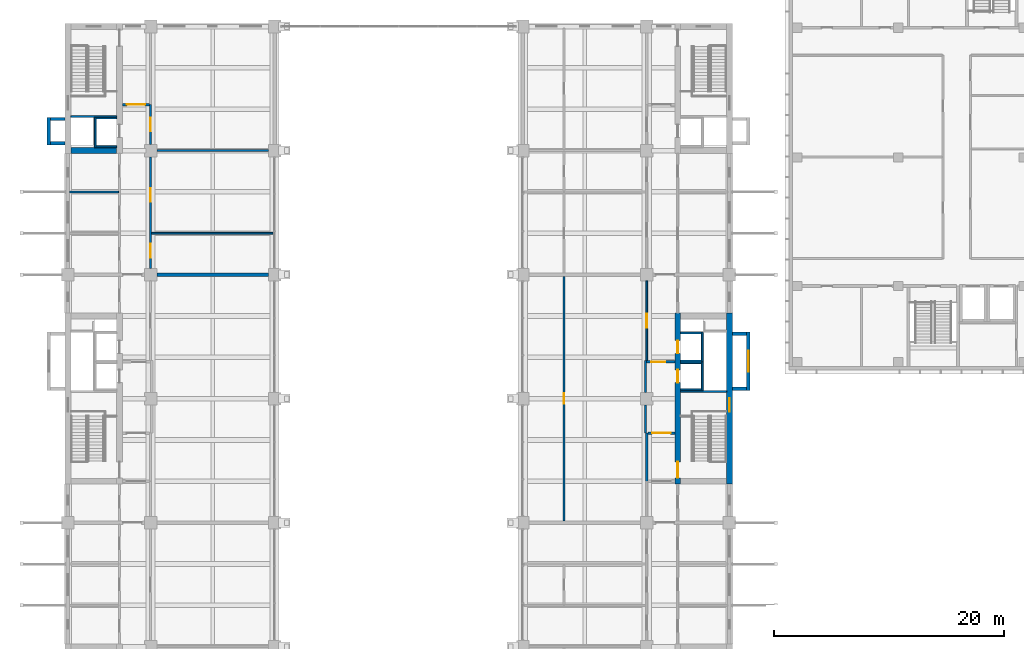
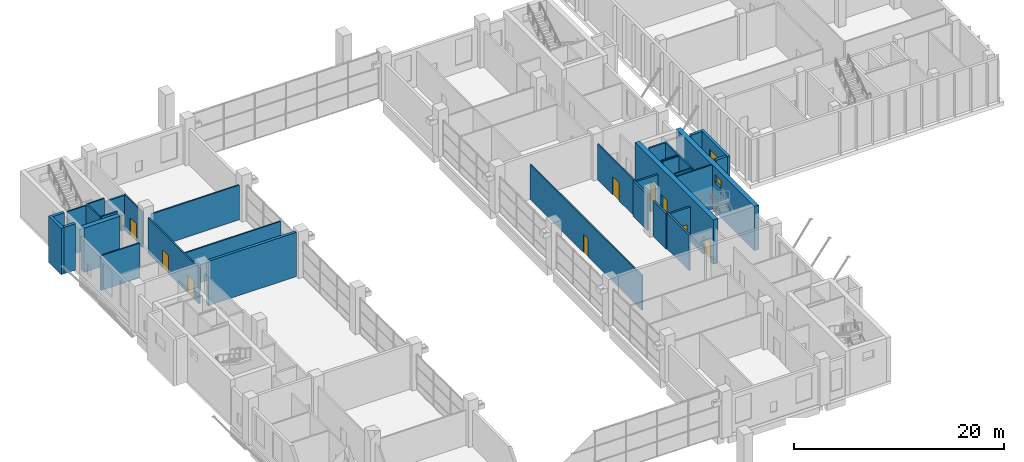
# One storey, part 21 of 38: 34 walls, 11 doors, 2 windows, 13 openings.
"""IFC4 building model written with IfcOpenShell, lengths in metres."""

from ifc_helpers import new_model, si_unit, direction, frame, frame_2d, origin, place, context, subcontext, project, spatial, rectangle, extrude, material, layer, layer_set, type_object, element, fill, save


model = new_model("IFC4")

# Units and contexts
model_context = context("Model", 3, precision=1e-05, world=origin(), true_north=direction((0.0, 1.0)))
body_context = subcontext(model_context, "Body", "Model", "MODEL_VIEW")
ifc_project = project(units=[si_unit("LENGTHUNIT", "METRE"), si_unit("AREAUNIT", "SQUARE_METRE"), si_unit("VOLUMEUNIT", "CUBIC_METRE"), si_unit("PLANEANGLEUNIT", "RADIAN"), si_unit("MASSUNIT", "GRAM", prefix="KILO")], contexts=[model_context])

# Site, building, storey
site_placement = place(None, origin())
site = spatial("IfcSite", under=ifc_project, at=site_placement, CompositionType="ELEMENT")
building_placement = place(site_placement, origin())
building = spatial("IfcBuilding", under=site, at=building_placement, Name="Basin Gate Institute", CompositionType="ELEMENT")
storey_placement = place(building_placement, frame((0.0, 0.0, 16.800048828125)))
storey = spatial("IfcBuildingStorey", under=building, at=storey_placement, Name="L03", CompositionType="ELEMENT", Elevation=16.800048828125)

# Wall, opening, door
ifc_material_1 = material(Name="Fire-rated masonry", Category="masonry")
ifc_layer_1 = layer(ifc_material_1, 0.199951171875)
ifc_layer_set_1 = layer_set([ifc_layer_1], Name="Enclosure wall PW2 200 EI 60")
wall_type_1 = type_object("IfcWallType", Name="Enclosure wall PW2 200 EI 60", PredefinedType="PARTITIONING", material=ifc_layer_set_1)
wall_1_placement = place(storey_placement, frame((65.949951171875, 93.10009765625, 0.0), z_axis=(0.0, 0.0, 1.0), x_axis=(1.0, 0.0, 0.0)))
wall_1 = element("IfcWall", 1, at=wall_1_placement, inside=storey, type_object=wall_type_1, material=ifc_layer_set_1, Name="Smoke lobby enclosure wall PW2 L03", PredefinedType="PARTITIONING", context=body_context, shape_type="SweptSolid", body=[
    extrude(rectangle(XDim=2.35009765625, YDim=0.199951171875, at=frame_2d((1.175048828125, 0.0))), origin(), (0.0, 0.0, 1.0), 4.050048828125),
])
opening_1_placement = place(wall_1_placement, frame((0.375, 0.0, 0.0)))
opening_1 = element("IfcOpeningElement", 2, at=opening_1_placement, cuts=wall_1, Name="Opening DR194", PredefinedType="OPENING", context=body_context, shape_type="SweptSolid", body=[
    extrude(rectangle(XDim=1.60009765625, YDim=2.10009765625, at=frame_2d((0.800048828125, 1.050048828125))), frame((0.0, 0.10986328125, 0.0), z_axis=(0.0, -1.0, 0.0), x_axis=(1.0, 0.0, 0.0)), (0.0, 0.0, 1.0), 0.219970703125),
])
ifc_material_2 = material(Name="Steel fire door", Category="steel")
door_type_1 = type_object("IfcDoorType", Name="FD60 Smoke lobby door pair D8", OperationType="DOUBLE_DOOR_SINGLE_SWING", PredefinedType="DOOR", material=ifc_material_2)
door_1_placement = place(opening_1_placement, origin())
door_1 = element("IfcDoor", 3, at=door_1_placement, inside=storey, type_object=door_type_1, material=ifc_material_2, Name="Smoke lobby door SS3 L03", OperationType="DOUBLE_DOOR_SINGLE_SWING", OverallHeight=2.10009765625, OverallWidth=1.60009765625, PredefinedType="DOOR", context=body_context, shape_type="SweptSolid", body=[
    extrude(rectangle(XDim=1.60009765625, YDim=2.10009765625, at=frame_2d((0.800048828125, 1.050048828125))), frame((0.0, 0.02490234375, 0.0), z_axis=(0.0, -1.0, 0.0), x_axis=(1.0, 0.0, 0.0)), (0.0, 0.0, 1.0), 0.050048828125),
])
fill(opening_1, door_1)

wall_2_placement = place(storey_placement, frame((114.050048828125, 64.5, 0.0), z_axis=(0.0, 0.0, 1.0), x_axis=(-1.0, 0.0, 0.0)))
wall_2 = element("IfcWall", 4, at=wall_2_placement, inside=storey, type_object=wall_type_1, material=ifc_layer_set_1, Name="Smoke lobby enclosure wall PW2 L03", PredefinedType="PARTITIONING", context=body_context, shape_type="SweptSolid", body=[
    extrude(rectangle(XDim=2.35009765625, YDim=0.199951171875, at=frame_2d((1.175048828125, 0.0))), origin(), (0.0, 0.0, 1.0), 4.050048828125),
])
opening_2_placement = place(wall_2_placement, frame((0.375, 0.0, 0.0)))
opening_2 = element("IfcOpeningElement", 5, at=opening_2_placement, cuts=wall_2, Name="Opening DR172", PredefinedType="OPENING", context=body_context, shape_type="SweptSolid", body=[
    extrude(rectangle(XDim=1.60009765625, YDim=2.10009765625, at=frame_2d((0.800048828125, 1.050048828125))), frame((0.0, 0.10986328125, 0.0), z_axis=(0.0, -1.0, 0.0), x_axis=(1.0, 0.0, 0.0)), (0.0, 0.0, 1.0), 0.219970703125),
])
door_2_placement = place(opening_2_placement, origin())
door_2 = element("IfcDoor", 6, at=door_2_placement, inside=storey, type_object=door_type_1, material=ifc_material_2, Name="Smoke lobby door SS5 L03", OperationType="DOUBLE_DOOR_SINGLE_SWING", OverallHeight=2.10009765625, OverallWidth=1.60009765625, PredefinedType="DOOR", context=body_context, shape_type="SweptSolid", body=[
    extrude(rectangle(XDim=1.60009765625, YDim=2.10009765625, at=frame_2d((0.800048828125, 1.050048828125))), frame((0.0, 0.02490234375, 0.0), z_axis=(0.0, -1.0, 0.0), x_axis=(1.0, 0.0, 0.0)), (0.0, 0.0, 1.0), 0.050048828125),
])
fill(opening_2, door_2)

# Wall
wall_3_placement = place(storey_placement, frame((111.60009765625, 60.300048828125, 0.0), z_axis=(0.0, 0.0, 1.0), x_axis=(0.0, 1.0, 0.0)))
element("IfcWall", 7, at=wall_3_placement, inside=storey, type_object=wall_type_1, material=ifc_layer_set_1, Name="Smoke lobby enclosure wall PW2 L03", PredefinedType="PARTITIONING", context=body_context, shape_type="SweptSolid", body=[
    extrude(rectangle(XDim=4.199951171875, YDim=0.199951171875, at=frame_2d((2.10009765625, 0.0))), origin(), (0.0, 0.0, 1.0), 4.14990234375),
])

# Wall, opening, door
wall_4_placement = place(storey_placement, frame((114.050048828125, 70.699951171875, 0.0), z_axis=(0.0, 0.0, 1.0), x_axis=(-1.0, 0.0, 0.0)))
wall_4 = element("IfcWall", 8, at=wall_4_placement, inside=storey, type_object=wall_type_1, material=ifc_layer_set_1, Name="Emergency lift lobby wall PW2 L03", PredefinedType="PARTITIONING", context=body_context, shape_type="SweptSolid", body=[
    extrude(rectangle(XDim=2.449951171875, YDim=0.199951171875, at=frame_2d((1.22509765625, 0.0))), origin(), (0.0, 0.0, 1.0), 4.050048828125),
])
opening_3_placement = place(wall_4_placement, frame((0.85009765625, 0.0, 0.0)))
opening_3 = element("IfcOpeningElement", 9, at=opening_3_placement, cuts=wall_4, Name="Opening DR169", PredefinedType="OPENING", context=body_context, shape_type="SweptSolid", body=[
    extrude(rectangle(XDim=1.199951171875, YDim=2.10009765625, at=frame_2d((0.60009765625, 1.050048828125))), frame((0.0, 0.10986328125, 0.0), z_axis=(0.0, -1.0, 0.0), x_axis=(1.0, 0.0, 0.0)), (0.0, 0.0, 1.0), 0.219970703125),
])
ifc_material_3 = material(Name="Steel fire door", Category="steel")
door_type_2 = type_object("IfcDoorType", Name="FD60 Emergency lift lobby door D9", OperationType="NOTDEFINED", PredefinedType="DOOR", material=ifc_material_3)
door_3_placement = place(opening_3_placement, origin())
door_3 = element("IfcDoor", 10, at=door_3_placement, inside=storey, type_object=door_type_2, material=ifc_material_3, Name="Emergency lift lobby door LF2 L03", OperationType="SINGLE_SWING_RIGHT", OverallHeight=2.10009765625, OverallWidth=1.199951171875, PredefinedType="DOOR", context=body_context, shape_type="SweptSolid", body=[
    extrude(rectangle(XDim=1.199951171875, YDim=2.10009765625, at=frame_2d((0.60009765625, 1.050048828125))), frame((0.0, 0.02490234375, 0.0), z_axis=(0.0, -1.0, 0.0), x_axis=(1.0, 0.0, 0.0)), (0.0, 0.0, 1.0), 0.050048828125),
])
fill(opening_3, door_3)

# Walls
wall_5_placement = place(storey_placement, frame((111.5, 64.5, 0.0), z_axis=(0.0, 0.0, 1.0), x_axis=(0.0, 1.0, 0.0)))
element("IfcWall", 11, at=wall_5_placement, inside=storey, type_object=wall_type_1, material=ifc_layer_set_1, Name="Emergency lift lobby wall PW2 L03", PredefinedType="PARTITIONING", context=body_context, shape_type="SweptSolid", body=[
    extrude(rectangle(XDim=2.449951171875, YDim=0.199951171875, at=frame_2d((1.22509765625, 0.0))), origin(), (0.0, 0.0, 1.0), 4.14990234375),
])
wall_6_placement = place(storey_placement, frame((111.5, 68.050048828125, 0.0), z_axis=(0.0, 0.0, 1.0), x_axis=(0.0, 1.0, 0.0)))
element("IfcWall", 12, at=wall_6_placement, inside=storey, type_object=wall_type_1, material=ifc_layer_set_1, Name="Emergency lift lobby wall PW2 L03", PredefinedType="PARTITIONING", context=body_context, shape_type="SweptSolid", body=[
    extrude(rectangle(XDim=2.75, YDim=0.199951171875, at=frame_2d((1.375, 0.0))), origin(), (0.0, 0.0, 1.0), 4.14990234375),
])

# Wall, openings, doors
ifc_material_4 = material(Name="Gypsum board on steel stud", Category="steel")
ifc_layer_2 = layer(ifc_material_4, 0.14990234375)
ifc_layer_set_2 = layer_set([ifc_layer_2], Name="Gypsum board on steel stud")
wall_type_2 = type_object("IfcWallType", Name="Partition PW1 150 EI 60", PredefinedType="PARTITIONING", material=ifc_layer_set_2)
wall_7_placement = place(storey_placement, frame((68.39990234375, 78.85009765625, 0.0), z_axis=(0.0, 0.0, 1.0), x_axis=(0.0, 1.0, 0.0)))
wall_7 = element("IfcWall", 13, at=wall_7_placement, inside=storey, type_object=wall_type_2, material=ifc_layer_set_2, Name="Laboratory corridor wall PW1 L03", PredefinedType="PARTITIONING", context=body_context, shape_type="SweptSolid", body=[
    extrude(rectangle(XDim=9.699951171875, YDim=0.14990234375, at=frame_2d((4.85009765625, 0.0))), origin(), (0.0, 0.0, 1.0), 4.14990234375),
])
opening_4_placement = place(wall_7_placement, frame((5.77490234375, 0.0, 0.0)))
opening_4 = element("IfcOpeningElement", 14, at=opening_4_placement, cuts=wall_7, Name="Opening DR179", PredefinedType="OPENING", context=body_context, shape_type="SweptSolid", body=[
    extrude(rectangle(XDim=1.199951171875, YDim=2.10009765625, at=frame_2d((0.60009765625, 1.050048828125))), frame((0.0, 0.0849609375, 0.0), z_axis=(0.0, -1.0, 0.0), x_axis=(1.0, 0.0, 0.0)), (0.0, 0.0, 1.0), 0.169921875),
])
opening_5_placement = place(wall_7_placement, frame((0.925048828125, 0.0, 0.0)))
opening_5 = element("IfcOpeningElement", 15, at=opening_5_placement, cuts=wall_7, Name="Opening DR184", PredefinedType="OPENING", context=body_context, shape_type="SweptSolid", body=[
    extrude(rectangle(XDim=1.199951171875, YDim=2.10009765625, at=frame_2d((0.60009765625, 1.050048828125))), frame((0.0, 0.0849609375, 0.0), z_axis=(0.0, -1.0, 0.0), x_axis=(1.0, 0.0, 0.0)), (0.0, 0.0, 1.0), 0.169921875),
])
ifc_material_5 = material(Name="Timber fire door", Category="wood")
door_type_3 = type_object("IfcDoorType", Name="FD30 Laboratory door D2", OperationType="DOUBLE_DOOR_SINGLE_SWING", PredefinedType="DOOR", material=ifc_material_5)
door_4_placement = place(opening_4_placement, frame((1.199951171875, 0.0, 0.0), z_axis=(0.0, 0.0, 1.0), x_axis=(-1.0, 0.0, 0.0)))
door_4 = element("IfcDoor", 16, at=door_4_placement, inside=storey, type_object=door_type_3, material=ifc_material_5, Name="Door to Instrument Room 0321 L03", OperationType="DOUBLE_DOOR_SINGLE_SWING", OverallHeight=2.10009765625, OverallWidth=1.199951171875, PredefinedType="DOOR", context=body_context, shape_type="SweptSolid", body=[
    extrude(rectangle(XDim=1.199951171875, YDim=2.10009765625, at=frame_2d((0.60009765625, 1.050048828125))), frame((0.0, 0.02490234375, 0.0), z_axis=(0.0, -1.0, 0.0), x_axis=(1.0, 0.0, 0.0)), (0.0, 0.0, 1.0), 0.050048828125),
])
fill(opening_4, door_4)
door_5_placement = place(opening_5_placement, frame((1.199951171875, 0.0, 0.0), z_axis=(0.0, 0.0, 1.0), x_axis=(-1.0, 0.0, 0.0)))
door_5 = element("IfcDoor", 17, at=door_5_placement, inside=storey, type_object=door_type_3, material=ifc_material_5, Name="Door to Wet Laboratory 0320 L03", OperationType="DOUBLE_DOOR_SINGLE_SWING", OverallHeight=2.10009765625, OverallWidth=1.199951171875, PredefinedType="DOOR", context=body_context, shape_type="SweptSolid", body=[
    extrude(rectangle(XDim=1.199951171875, YDim=2.10009765625, at=frame_2d((0.60009765625, 1.050048828125))), frame((0.0, 0.02490234375, 0.0), z_axis=(0.0, -1.0, 0.0), x_axis=(1.0, 0.0, 0.0)), (0.0, 0.0, 1.0), 0.050048828125),
])
fill(opening_5, door_5)

# Wall, opening, door
wall_8_placement = place(storey_placement, frame((68.39990234375, 89.64990234375, 0.0), z_axis=(0.0, 0.0, 1.0), x_axis=(0.0, 1.0, 0.0)))
wall_8 = element("IfcWall", 18, at=wall_8_placement, inside=storey, type_object=wall_type_2, material=ifc_layer_set_2, Name="Laboratory corridor wall PW1 L03", PredefinedType="PARTITIONING", context=body_context, shape_type="SweptSolid", body=[
    extrude(rectangle(XDim=3.4501953125, YDim=0.14990234375, at=frame_2d((1.72509765625, 0.0))), origin(), (0.0, 0.0, 1.0), 4.14990234375),
])
opening_6_placement = place(wall_8_placement, frame((1.125, 0.0, 0.0)))
opening_6 = element("IfcOpeningElement", 19, at=opening_6_placement, cuts=wall_8, Name="Opening DR185", PredefinedType="OPENING", context=body_context, shape_type="SweptSolid", body=[
    extrude(rectangle(XDim=1.199951171875, YDim=2.10009765625, at=frame_2d((0.60009765625, 1.050048828125))), frame((0.0, 0.0849609375, 0.0), z_axis=(0.0, -1.0, 0.0), x_axis=(1.0, 0.0, 0.0)), (0.0, 0.0, 1.0), 0.169921875),
])
door_6_placement = place(opening_6_placement, frame((1.199951171875, 0.0, 0.0), z_axis=(0.0, 0.0, 1.0), x_axis=(-1.0, 0.0, 0.0)))
door_6 = element("IfcDoor", 20, at=door_6_placement, inside=storey, type_object=door_type_3, material=ifc_material_5, Name="Door to Wet Laboratory 0322 L03", OperationType="DOUBLE_DOOR_SINGLE_SWING", OverallHeight=2.10009765625, OverallWidth=1.199951171875, PredefinedType="DOOR", context=body_context, shape_type="SweptSolid", body=[
    extrude(rectangle(XDim=1.199951171875, YDim=2.10009765625, at=frame_2d((0.60009765625, 1.050048828125))), frame((0.0, 0.02490234375, 0.0), z_axis=(0.0, -1.0, 0.0), x_axis=(1.0, 0.0, 0.0)), (0.0, 0.0, 1.0), 0.050048828125),
])
fill(opening_6, door_6)

# Walls
wall_9_placement = place(storey_placement, frame((68.47509765625, 81.89990234375, 0.0), z_axis=(0.0, 0.0, 1.0), x_axis=(1.0, 0.0, 0.0)))
element("IfcWall", 21, at=wall_9_placement, inside=storey, type_object=wall_type_2, material=ifc_layer_set_2, Name="Laboratory partition PW1 L03", PredefinedType="PARTITIONING", context=body_context, shape_type="SweptSolid", body=[
    extrude(rectangle(XDim=10.574951171875, YDim=0.14990234375, at=frame_2d((5.28759765625, 0.0))), origin(), (0.0, 0.0, 1.0), 4.050048828125),
])
wall_10_placement = place(storey_placement, frame((68.949951171875, 89.10009765625, 0.0), z_axis=(0.0, 0.0, 1.0), x_axis=(1.0, 0.0, 0.0)))
element("IfcWall", 22, at=wall_10_placement, inside=storey, type_object=wall_type_2, material=ifc_layer_set_2, Name="Laboratory partition PW1 L03", PredefinedType="PARTITIONING", context=body_context, shape_type="SweptSolid", body=[
    extrude(rectangle(XDim=9.699951171875, YDim=0.14990234375, at=frame_2d((4.85009765625, 0.0))), origin(), (0.0, 0.0, 1.0), 4.050048828125),
])

# Wall, opening, door
wall_11_placement = place(storey_placement, frame((111.60009765625, 70.800048828125, 0.0), z_axis=(0.0, 0.0, 1.0), x_axis=(0.0, 1.0, 0.0)))
wall_11 = element("IfcWall", 23, at=wall_11_placement, inside=storey, type_object=wall_type_2, material=ifc_layer_set_2, Name="Laboratory corridor wall PW1 L03", PredefinedType="PARTITIONING", context=body_context, shape_type="SweptSolid", body=[
    extrude(rectangle(XDim=6.949951171875, YDim=0.14990234375, at=frame_2d((3.47509765625, 0.0))), origin(), (0.0, 0.0, 1.0), 4.14990234375),
])
opening_7_placement = place(wall_11_placement, frame((2.875, 0.0, 0.0)))
opening_7 = element("IfcOpeningElement", 24, at=opening_7_placement, cuts=wall_11, Name="Opening DR148", PredefinedType="OPENING", context=body_context, shape_type="SweptSolid", body=[
    extrude(rectangle(XDim=1.199951171875, YDim=2.10009765625, at=frame_2d((0.60009765625, 1.050048828125))), frame((0.0, 0.0849609375, 0.0), z_axis=(0.0, -1.0, 0.0), x_axis=(1.0, 0.0, 0.0)), (0.0, 0.0, 1.0), 0.169921875),
])
door_7_placement = place(opening_7_placement, origin())
door_7 = element("IfcDoor", 25, at=door_7_placement, inside=storey, type_object=door_type_3, material=ifc_material_5, Name="Door to Air Handling Plant Room 0372 L03", OperationType="DOUBLE_DOOR_SINGLE_SWING", OverallHeight=2.10009765625, OverallWidth=1.199951171875, PredefinedType="DOOR", context=body_context, shape_type="SweptSolid", body=[
    extrude(rectangle(XDim=1.199951171875, YDim=2.10009765625, at=frame_2d((0.60009765625, 1.050048828125))), frame((0.0, 0.02490234375, 0.0), z_axis=(0.0, -1.0, 0.0), x_axis=(1.0, 0.0, 0.0)), (0.0, 0.0, 1.0), 0.050048828125),
])
fill(opening_7, door_7)

wall_12_placement = place(storey_placement, frame((104.39990234375, 56.85009765625, 0.0), z_axis=(0.0, 0.0, 1.0), x_axis=(0.0, 1.0, 0.0)))
wall_12 = element("IfcWall", 26, at=wall_12_placement, inside=storey, type_object=wall_type_2, material=ifc_layer_set_2, Name="Laboratory partition PW1 L03", PredefinedType="PARTITIONING", context=body_context, shape_type="SweptSolid", body=[
    extrude(rectangle(XDim=21.2998046875, YDim=0.14990234375, at=frame_2d((10.64990234375, 0.0))), origin(), (0.0, 0.0, 1.0), 4.050048828125),
])
opening_8_placement = place(wall_12_placement, frame((10.199951171875, 0.0, 0.0)))
opening_8 = element("IfcOpeningElement", 27, at=opening_8_placement, cuts=wall_12, Name="Opening DR164", PredefinedType="OPENING", context=body_context, shape_type="SweptSolid", body=[
    extrude(rectangle(XDim=0.89990234375, YDim=2.10009765625, at=frame_2d((0.449951171875, 1.050048828125))), frame((0.0, 0.0849609375, 0.0), z_axis=(0.0, -1.0, 0.0), x_axis=(1.0, 0.0, 0.0)), (0.0, 0.0, 1.0), 0.169921875),
])
ifc_material_6 = material(Name="Steel fire door", Category="steel")
door_type_4 = type_object("IfcDoorType", Name="FD60 Riser door D10", OperationType="NOTDEFINED", PredefinedType="DOOR", material=ifc_material_6)
door_8_placement = place(opening_8_placement, frame((0.89990234375, 0.0, 0.0), z_axis=(0.0, 0.0, 1.0), x_axis=(-1.0, 0.0, 0.0)))
door_8 = element("IfcDoor", 28, at=door_8_placement, inside=storey, type_object=door_type_4, material=ifc_material_6, Name="Door to Riser Room 0373 L03", OperationType="SINGLE_SWING_RIGHT", OverallHeight=2.10009765625, OverallWidth=0.89990234375, PredefinedType="DOOR", context=body_context, shape_type="SweptSolid", body=[
    extrude(rectangle(XDim=0.89990234375, YDim=2.10009765625, at=frame_2d((0.449951171875, 1.050048828125))), frame((0.0, 0.02490234375, 0.0), z_axis=(0.0, -1.0, 0.0), x_axis=(1.0, 0.0, 0.0)), (0.0, 0.0, 1.0), 0.050048828125),
])
fill(opening_8, door_8)

# Walls
ifc_material_7 = material(Name="Gypsum board on steel stud", Category="steel")
ifc_layer_3 = layer(ifc_material_7, 0.14990234375)
ifc_layer_set_3 = layer_set([ifc_layer_3], Name="Gypsum board on steel stud")
wall_type_3 = type_object("IfcWallType", Name="Partition PW4 150", PredefinedType="PARTITIONING", material=ifc_layer_set_3)
wall_13_placement = place(storey_placement, frame((61.35009765625, 85.5, 0.0), z_axis=(0.0, 0.0, 1.0), x_axis=(1.0, 0.0, 0.0)))
element("IfcWall", 29, at=wall_13_placement, inside=storey, type_object=wall_type_3, material=ifc_layer_set_3, Name="Toilet partition PW4 L03", PredefinedType="PARTITIONING", context=body_context, shape_type="SweptSolid", body=[
    extrude(rectangle(XDim=4.27490234375, YDim=0.14990234375, at=frame_2d((2.137451171875, 0.0))), origin(), (0.0, 0.0, 1.0), 4.050048828125),
])
ifc_material_8 = material(Name="Concrete 40 MPa", Category="concrete")
ifc_layer_4 = layer(ifc_material_8, 0.14990234375)
ifc_layer_set_4 = layer_set([ifc_layer_4], Name="Concrete 40 MPa")
wall_type_4 = type_object("IfcWallType", Name="Wall LS1 lift shaft enclosure R180", PredefinedType="SOLIDWALL", material=ifc_layer_set_4)
wall_14_placement = place(storey_placement, frame((63.574951171875, 92.0, 0.0), z_axis=(0.0, 0.0, 1.0), x_axis=(0.0, -1.0, 0.0)))
element("IfcWall", 30, at=wall_14_placement, inside=storey, type_object=wall_type_4, material=ifc_layer_set_4, Name="Lift shaft enclosure LP3 L03 UL", PredefinedType="SOLIDWALL", context=body_context, shape_type="SweptSolid", body=[
    extrude(rectangle(XDim=2.64990234375, YDim=0.14990234375, at=frame_2d((1.324951171875, 0.0))), origin(), (0.0, 0.0, 1.0), 5.39990234375),
])
for number, where, z_axis, x_axis, name in (
    (31, (63.64990234375, 91.925048828125, 0.0), (0.0, 0.0, 1.0), (1.0, 0.0, 0.0), "Lift shaft enclosure LP3 L03 RL"),
    (32, (63.64990234375, 89.425048828125, 0.0), (0.0, 0.0, 1.0), (1.0, 0.0, 0.0), "Lift shaft enclosure LP3 L03 RH"),
):
    element("IfcWall", number, at=place(storey_placement, frame(where, z_axis=z_axis, x_axis=x_axis)), inside=storey, type_object=wall_type_4, material=ifc_layer_set_4, Name=name, PredefinedType="SOLIDWALL", context=body_context, shape_type="SweptSolid", body=[
        extrude(rectangle(XDim=1.800048828125, YDim=0.14990234375, at=frame_2d((0.89990234375, 0.0))), origin(), (0.0, 0.0, 1.0), 5.39990234375),
    ])
wall_15_placement = place(storey_placement, frame((116.425048828125, 68.199951171875, 0.0), z_axis=(0.0, 0.0, 1.0), x_axis=(0.0, 1.0, 0.0)))
element("IfcWall", 33, at=wall_15_placement, inside=storey, type_object=wall_type_4, material=ifc_layer_set_4, Name="Lift shaft enclosure LF2 L03 UL", PredefinedType="SOLIDWALL", context=body_context, shape_type="SweptSolid", body=[
    extrude(rectangle(XDim=2.5, YDim=0.14990234375, at=frame_2d((1.25, 0.0))), origin(), (0.0, 0.0, 1.0), 5.39990234375),
])
for number, where, z_axis, x_axis, name in (
    (34, (116.35009765625, 68.27490234375, 0.0), (0.0, 0.0, 1.0), (-1.0, 0.0, 0.0), "Lift shaft enclosure LF2 L03 RL"),
    (35, (116.35009765625, 70.625, 0.0), (0.0, 0.0, 1.0), (-1.0, 0.0, 0.0), "Lift shaft enclosure LF2 L03 RH"),
):
    element("IfcWall", number, at=place(storey_placement, frame(where, z_axis=z_axis, x_axis=x_axis)), inside=storey, type_object=wall_type_4, material=ifc_layer_set_4, Name=name, PredefinedType="SOLIDWALL", context=body_context, shape_type="SweptSolid", body=[
        extrude(rectangle(XDim=1.800048828125, YDim=0.14990234375, at=frame_2d((0.89990234375, 0.0))), origin(), (0.0, 0.0, 1.0), 5.39990234375),
    ])
wall_16_placement = place(storey_placement, frame((116.425048828125, 70.699951171875, 0.0), z_axis=(0.0, 0.0, 1.0), x_axis=(0.0, 1.0, 0.0)))
element("IfcWall", 36, at=wall_16_placement, inside=storey, type_object=wall_type_4, material=ifc_layer_set_4, Name="Lift shaft enclosure LP5 L03 UL", PredefinedType="SOLIDWALL", context=body_context, shape_type="SweptSolid", body=[
    extrude(rectangle(XDim=2.60009765625, YDim=0.14990234375, at=frame_2d((1.300048828125, 0.0))), origin(), (0.0, 0.0, 1.0), 5.39990234375),
])
for number, where, z_axis, x_axis, name in (
    (37, (116.35009765625, 70.77490234375, 0.0), (0.0, 0.0, 1.0), (-1.0, 0.0, 0.0), "Lift shaft enclosure LP5 L03 RL"),
    (38, (116.35009765625, 73.22509765625, 0.0), (0.0, 0.0, 1.0), (-1.0, 0.0, 0.0), "Lift shaft enclosure LP5 L03 RH"),
):
    element("IfcWall", number, at=place(storey_placement, frame(where, z_axis=z_axis, x_axis=x_axis)), inside=storey, type_object=wall_type_4, material=ifc_layer_set_4, Name=name, PredefinedType="SOLIDWALL", context=body_context, shape_type="SweptSolid", body=[
        extrude(rectangle(XDim=1.800048828125, YDim=0.14990234375, at=frame_2d((0.89990234375, 0.0))), origin(), (0.0, 0.0, 1.0), 5.39990234375),
    ])
ifc_material_9 = material(Name="Concrete 40 MPa", Category="concrete")
ifc_layer_5 = layer(ifc_material_9, 0.14990234375)
ifc_layer_set_5 = layer_set([ifc_layer_5], Name="Concrete 40 MPa")
wall_type_5 = type_object("IfcWallType", Name="Wall SE1 stair enclosure R180", PredefinedType="SOLIDWALL", material=ifc_layer_set_5)
for number, where, z_axis, x_axis, name in (
    (39, (61.449951171875, 92.074951171875, 0.0), (0.0, 0.0, 1.0), (1.0, 0.0, 0.0), "Stair enclosure wall ST-WN L03"),
    (40, (118.550048828125, 68.125, 0.0), (0.0, 0.0, 1.0), (-1.0, 0.0, 0.0), "Stair enclosure wall ST-EM L03"),
):
    element("IfcWall", number, at=place(storey_placement, frame(where, z_axis=z_axis, x_axis=x_axis)), inside=storey, type_object=wall_type_5, material=ifc_layer_set_5, Name=name, PredefinedType="SOLIDWALL", context=body_context, shape_type="SweptSolid", body=[
        extrude(rectangle(XDim=4.0, YDim=0.14990234375, at=frame_2d((2.0, 0.0))), origin(), (0.0, 0.0, 1.0), 5.14990234375),
    ])
ifc_material_10 = material(Name="Concrete 50 MPa", Category="concrete")
ifc_layer_6 = layer(ifc_material_10, 0.300048828125)
ifc_layer_set_6 = layer_set([ifc_layer_6], Name="Concrete 50 MPa")
wall_type_6 = type_object("IfcWallType", Name="Wall SK1 R180", PredefinedType="SHEAR", material=ifc_layer_set_6)
wall_17_placement = place(storey_placement, frame((59.550048828125, 89.60009765625, 0.0), z_axis=(0.0, 0.0, 1.0), x_axis=(0.0, 1.0, 0.0)))
element("IfcWall", 41, at=wall_17_placement, inside=storey, type_object=wall_type_6, material=ifc_layer_set_6, Name="Spine riser stack wall SK1 WN F L03", PredefinedType="SHEAR", context=body_context, shape_type="SweptSolid", body=[
    extrude(rectangle(XDim=2.39990234375, YDim=0.300048828125, at=frame_2d((1.199951171875, 0.0))), origin(), (0.0, 0.0, 1.0), 5.39990234375),
])
for number, where, z_axis, x_axis, name in (
    (42, (60.949951171875, 89.75, 0.0), (0.0, 0.0, 1.0), (-1.0, 0.0, 0.0), "Spine riser stack wall SK1 WN A L03"),
    (43, (60.949951171875, 91.85009765625, 0.0), (0.0, 0.0, 1.0), (-1.0, 0.0, 0.0), "Spine riser stack wall SK1 WN B L03"),
):
    element("IfcWall", number, at=place(storey_placement, frame(where, z_axis=z_axis, x_axis=x_axis)), inside=storey, type_object=wall_type_6, material=ifc_layer_set_6, Name=name, PredefinedType="SHEAR", context=body_context, shape_type="SweptSolid", body=[
        extrude(rectangle(XDim=1.25, YDim=0.300048828125, at=frame_2d((0.625, 0.0))), origin(), (0.0, 0.0, 1.0), 5.39990234375),
    ])

# Wall, opening, window
wall_18_placement = place(storey_placement, frame((120.449951171875, 68.199951171875, 0.0), z_axis=(0.0, 0.0, 1.0), x_axis=(0.0, 1.0, 0.0)))
wall_18 = element("IfcWall", 44, at=wall_18_placement, inside=storey, type_object=wall_type_6, material=ifc_layer_set_6, Name="Spine riser stack wall SK1 EM F L03", PredefinedType="SHEAR", context=body_context, shape_type="SweptSolid", body=[
    extrude(rectangle(XDim=5.10009765625, YDim=0.300048828125, at=frame_2d((2.550048828125, 0.0))), origin(), (0.0, 0.0, 1.0), 5.39990234375),
])
opening_9_placement = place(wall_18_placement, frame((1.64990234375, 0.0, 3.0)))
opening_9 = element("IfcOpeningElement", 45, at=opening_9_placement, cuts=wall_18, Name="Opening WL1", PredefinedType="OPENING", context=body_context, shape_type="SweptSolid", body=[
    extrude(rectangle(XDim=1.800048828125, YDim=1.199951171875, at=frame_2d((0.89990234375, 0.60009765625))), frame((0.0, 0.16015625, 0.0), z_axis=(0.0, -1.0, 0.0), x_axis=(1.0, 0.0, 0.0)), (0.0, 0.0, 1.0), 0.320068359375),
])
ifc_material_11 = material(Name="Aluminium louvre blades with fire damper", Category="aluminium")
window_type_1 = type_object("IfcWindowType", Name="Riser louvre EI 180 WL1", PartitioningType="SINGLE_PANEL", PredefinedType="WINDOW", material=ifc_material_11)
window_1_placement = place(opening_9_placement, origin())
window_1 = element("IfcWindow", 46, at=window_1_placement, inside=storey, type_object=window_type_1, material=ifc_material_11, Name="Riser louvre EI 180 EM riser 1 L03", OverallHeight=1.199951171875, OverallWidth=1.800048828125, PartitioningType="SINGLE_PANEL", PredefinedType="WINDOW", context=body_context, shape_type="SweptSolid", body=[
    extrude(rectangle(XDim=1.800048828125, YDim=1.199951171875, at=frame_2d((0.89990234375, 0.60009765625))), frame((0.0, 0.030029296875, 0.0), z_axis=(0.0, -1.0, 0.0), x_axis=(1.0, 0.0, 0.0)), (0.0, 0.0, 1.0), 0.06005859375),
])
fill(opening_9, window_1)

# Walls
for number, where, z_axis, x_axis, name in (
    (47, (119.050048828125, 68.35009765625, 0.0), (0.0, 0.0, 1.0), (1.0, 0.0, 0.0), "Spine riser stack wall SK1 EM A L03"),
    (48, (119.050048828125, 73.14990234375, 0.0), (0.0, 0.0, 1.0), (1.0, 0.0, 0.0), "Spine riser stack wall SK1 EM B L03"),
):
    element("IfcWall", number, at=place(storey_placement, frame(where, z_axis=z_axis, x_axis=x_axis)), inside=storey, type_object=wall_type_6, material=ifc_layer_set_6, Name=name, PredefinedType="SHEAR", context=body_context, shape_type="SweptSolid", body=[
        extrude(rectangle(XDim=1.25, YDim=0.300048828125, at=frame_2d((0.625, 0.0))), origin(), (0.0, 0.0, 1.0), 5.39990234375),
    ])
ifc_material_12 = material(Name="Concrete 60 MPa", Category="concrete")
ifc_layer_7 = layer(ifc_material_12, 0.5)
ifc_layer_set_7 = layer_set([ifc_layer_7], Name="Concrete 60 MPa")
wall_type_7 = type_object("IfcWallType", Name="Wall SW1 R180", PredefinedType="SHEAR", material=ifc_layer_set_7)
wall_19_placement = place(storey_placement, frame((61.449951171875, 89.10009765625, 0.0), z_axis=(0.0, 0.0, 1.0), x_axis=(1.0, 0.0, 0.0)))
element("IfcWall", 49, at=wall_19_placement, inside=storey, type_object=wall_type_7, material=ifc_layer_set_7, Name="WALL/L03/WN/S", PredefinedType="SHEAR", context=body_context, shape_type="SweptSolid", body=[
    extrude(rectangle(XDim=4.0, YDim=0.5, at=frame_2d((2.0, 0.0))), origin(), (0.0, 0.0, 1.0), 5.14990234375),
])

# Wall, opening, window
wall_20_placement = place(storey_placement, frame((118.800048828125, 60.050048828125, 0.0), z_axis=(0.0, 0.0, 1.0), x_axis=(0.0, 1.0, 0.0)))
wall_20 = element("IfcWall", 50, at=wall_20_placement, inside=storey, type_object=wall_type_7, material=ifc_layer_set_7, Name="WALL/L03/EM/L", PredefinedType="SHEAR", context=body_context, shape_type="SweptSolid", body=[
    extrude(rectangle(XDim=14.89990234375, YDim=0.5, at=frame_2d((7.449951171875, 0.0))), origin(), (0.0, 0.0, 1.0), 5.14990234375),
])
opening_10_placement = place(wall_20_placement, frame((6.300048828125, 0.0, 3.39990234375)))
opening_10 = element("IfcOpeningElement", 51, at=opening_10_placement, cuts=wall_20, Name="Opening WT1", PredefinedType="OPENING", context=body_context, shape_type="SweptSolid", body=[
    extrude(rectangle(XDim=1.199951171875, YDim=0.89990234375, at=frame_2d((0.60009765625, 0.449951171875))), frame((0.0, 0.260009765625, 0.0), z_axis=(0.0, -1.0, 0.0), x_axis=(1.0, 0.0, 0.0)), (0.0, 0.0, 1.0), 0.52001953125),
])
ifc_material_13 = material(Name="Fire-resistant glazing in steel-free frame", Category="steel")
window_type_2 = type_object("IfcWindowType", Name="Rated stair window EI 180 WT1", PartitioningType="SINGLE_PANEL", PredefinedType="WINDOW", material=ifc_material_13)
window_2_placement = place(opening_10_placement, origin())
window_2 = element("IfcWindow", 52, at=window_2_placement, inside=storey, type_object=window_type_2, material=ifc_material_13, Name="Rated stair window EI 180 EM landing L03", OverallHeight=0.89990234375, OverallWidth=1.199951171875, PartitioningType="SINGLE_PANEL", PredefinedType="WINDOW", context=body_context, shape_type="SweptSolid", body=[
    extrude(rectangle(XDim=1.199951171875, YDim=0.89990234375, at=frame_2d((0.60009765625, 0.449951171875))), frame((0.0, 0.030029296875, 0.0), z_axis=(0.0, -1.0, 0.0), x_axis=(1.0, 0.0, 0.0)), (0.0, 0.0, 1.0), 0.06005859375),
])
fill(opening_10, window_2)

# Wall, openings, doors
wall_21_placement = place(storey_placement, frame((114.300048828125, 60.050048828125, 0.0), z_axis=(0.0, 0.0, 1.0), x_axis=(0.0, 1.0, 0.0)))
wall_21 = element("IfcWall", 53, at=wall_21_placement, inside=storey, type_object=wall_type_7, material=ifc_layer_set_7, Name="WALL/L03/EM/C", PredefinedType="SHEAR", context=body_context, shape_type="SweptSolid", body=[
    extrude(rectangle(XDim=14.89990234375, YDim=0.5, at=frame_2d((7.449951171875, 0.0))), origin(), (0.0, 0.0, 1.0), 5.14990234375),
])
opening_11_placement = place(wall_21_placement, frame((0.550048828125, 0.0, 0.0)))
opening_11 = element("IfcOpeningElement", 54, at=opening_11_placement, cuts=wall_21, Name="Opening DS023", PredefinedType="OPENING", context=body_context, shape_type="SweptSolid", body=[
    extrude(rectangle(XDim=1.39990234375, YDim=2.10009765625, at=frame_2d((0.699951171875, 1.050048828125))), frame((0.0, 0.260009765625, 0.0), z_axis=(0.0, -1.0, 0.0), x_axis=(1.0, 0.0, 0.0)), (0.0, 0.0, 1.0), 0.52001953125),
])
opening_12_placement = place(wall_21_placement, frame((8.85009765625, 0.0, 0.0)))
opening_12 = element("IfcOpeningElement", 55, at=opening_12_placement, cuts=wall_21, Name="Opening LD086", PredefinedType="OPENING", context=body_context, shape_type="SweptSolid", body=[
    extrude(rectangle(XDim=1.10009765625, YDim=2.10009765625, at=frame_2d((0.550048828125, 1.050048828125))), frame((0.0, 0.260009765625, 0.0), z_axis=(0.0, -1.0, 0.0), x_axis=(1.0, 0.0, 0.0)), (0.0, 0.0, 1.0), 0.52001953125),
])
opening_13_placement = place(wall_21_placement, frame((11.39990234375, 0.0, 0.0)))
opening_13 = element("IfcOpeningElement", 56, at=opening_13_placement, cuts=wall_21, Name="Opening LD098", PredefinedType="OPENING", context=body_context, shape_type="SweptSolid", body=[
    extrude(rectangle(XDim=1.10009765625, YDim=2.10009765625, at=frame_2d((0.550048828125, 1.050048828125))), frame((0.0, 0.260009765625, 0.0), z_axis=(0.0, -1.0, 0.0), x_axis=(1.0, 0.0, 0.0)), (0.0, 0.0, 1.0), 0.52001953125),
])
ifc_material_14 = material(Name="Steel fire door", Category="steel")
door_type_5 = type_object("IfcDoorType", Name="FD30 Stair enclosure door DS", OperationType="DOUBLE_DOOR_SINGLE_SWING", PredefinedType="DOOR", material=ifc_material_14)
door_9_placement = place(opening_11_placement, frame((1.39990234375, 0.0, 0.0), z_axis=(0.0, 0.0, 1.0), x_axis=(-1.0, 0.0, 0.0)))
door_9 = element("IfcDoor", 57, at=door_9_placement, inside=storey, type_object=door_type_5, material=ifc_material_14, Name="Stair enclosure door ST-EM L03", OperationType="DOUBLE_DOOR_SINGLE_SWING", OverallHeight=2.10009765625, OverallWidth=1.39990234375, PredefinedType="DOOR", context=body_context, shape_type="SweptSolid", body=[
    extrude(rectangle(XDim=1.39990234375, YDim=2.10009765625, at=frame_2d((0.699951171875, 1.050048828125))), frame((0.0, 0.02490234375, 0.0), z_axis=(0.0, -1.0, 0.0), x_axis=(1.0, 0.0, 0.0)), (0.0, 0.0, 1.0), 0.050048828125),
])
fill(opening_11, door_9)
ifc_material_15 = material(Name="Stainless steel", Category="steel")
door_type_6 = type_object("IfcDoorType", Name="FD60 Lift landing door LD", OperationType="SLIDING_TO_LEFT", PredefinedType="DOOR", material=ifc_material_15)
door_10_placement = place(opening_12_placement, origin())
door_10 = element("IfcDoor", 58, at=door_10_placement, inside=storey, type_object=door_type_6, material=ifc_material_15, Name="Lift landing door LF2 L03", OperationType="SLIDING_TO_LEFT", OverallHeight=2.10009765625, OverallWidth=1.10009765625, PredefinedType="DOOR", context=body_context, shape_type="SweptSolid", body=[
    extrude(rectangle(XDim=1.10009765625, YDim=2.10009765625, at=frame_2d((0.550048828125, 1.050048828125))), frame((0.0, 0.02490234375, 0.0), z_axis=(0.0, -1.0, 0.0), x_axis=(1.0, 0.0, 0.0)), (0.0, 0.0, 1.0), 0.050048828125),
])
fill(opening_12, door_10)
door_11_placement = place(opening_13_placement, origin())
door_11 = element("IfcDoor", 59, at=door_11_placement, inside=storey, type_object=door_type_6, material=ifc_material_15, Name="Lift landing door LP5 L03", OperationType="SLIDING_TO_LEFT", OverallHeight=2.10009765625, OverallWidth=1.10009765625, PredefinedType="DOOR", context=body_context, shape_type="SweptSolid", body=[
    extrude(rectangle(XDim=1.10009765625, YDim=2.10009765625, at=frame_2d((0.550048828125, 1.050048828125))), frame((0.0, 0.02490234375, 0.0), z_axis=(0.0, -1.0, 0.0), x_axis=(1.0, 0.0, 0.0)), (0.0, 0.0, 1.0), 0.050048828125),
])
fill(opening_13, door_11)

# Wall
ifc_material_16 = material(Name="Concrete 50 MPa", Category="concrete")
ifc_layer_8 = layer(ifc_material_16, 0.300048828125)
ifc_layer_set_8 = layer_set([ifc_layer_8], Name="Concrete 50 MPa")
wall_type_8 = type_object("IfcWallType", Name="Wall XW1 R180", PredefinedType="SHEAR", material=ifc_layer_set_8)
wall_22_placement = place(storey_placement, frame((68.949951171875, 78.300048828125, 0.0), z_axis=(0.0, 0.0, 1.0), x_axis=(1.0, 0.0, 0.0)))
element("IfcWall", 60, at=wall_22_placement, inside=storey, type_object=wall_type_8, material=ifc_layer_set_8, Name="WALL/L03/WXE/2", PredefinedType="SHEAR", context=body_context, shape_type="SweptSolid", body=[
    extrude(rectangle(XDim=9.699951171875, YDim=0.300048828125, at=frame_2d((4.85009765625, 0.0))), origin(), (0.0, 0.0, 1.0), 5.14990234375),
])

save(model, "model.ifc")
